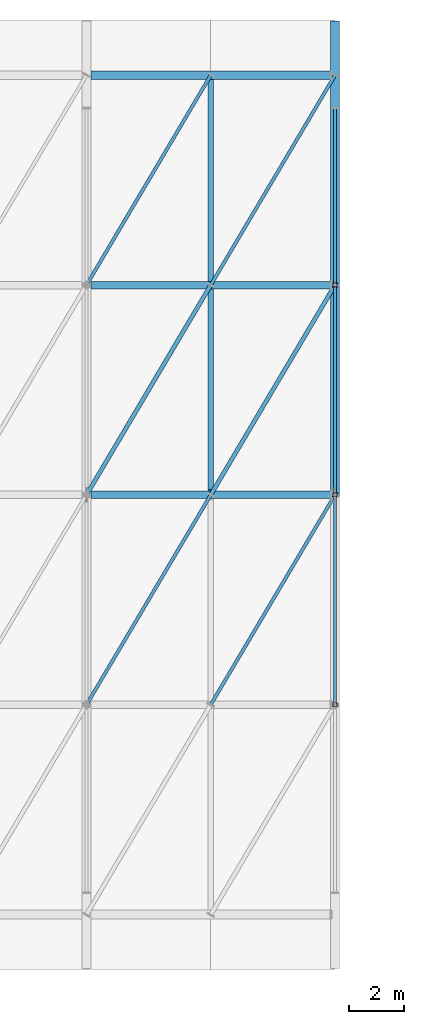
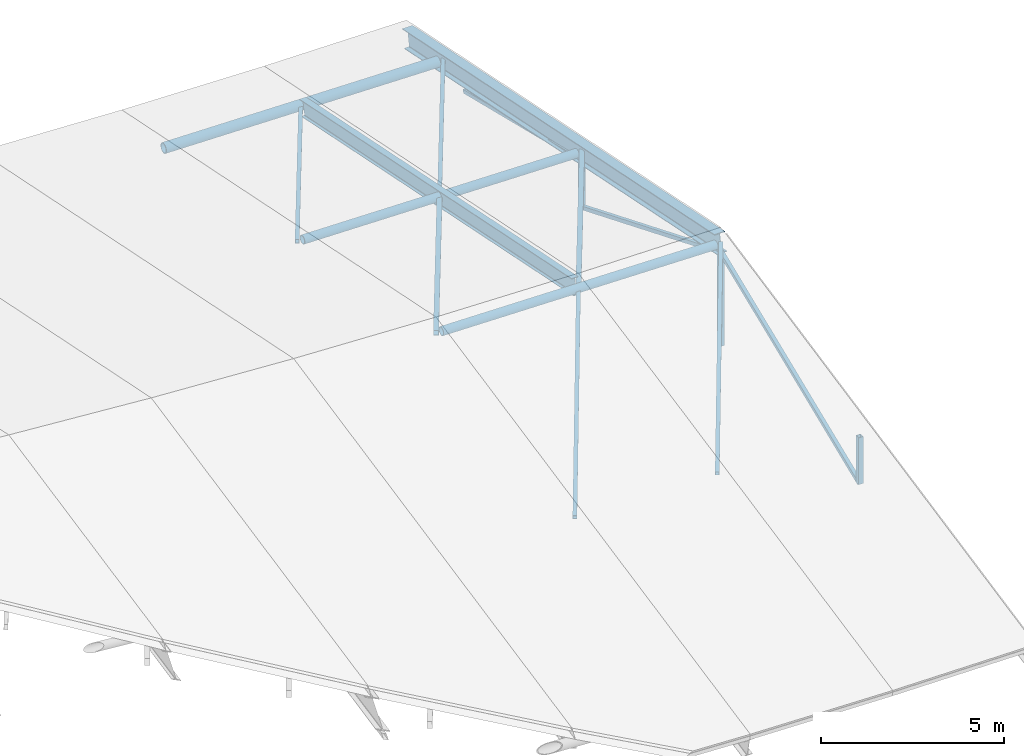
# One storey, part 13 of 21: 12 members, 5 beams.
"""IFC4 building model written with IfcOpenShell, lengths in metres."""

from ifc_helpers import new_model, si_unit, direction, frame, origin, origin_2d, place, context, subcontext, project, spatial, hollow_rectangle, hollow_circle, i_section, extrude, material, material_profile, profile_set, type_object, element, save


model = new_model("IFC4")

# Units and contexts
model_context = context("Model", 3, precision=1e-05, world=origin(), true_north=direction((0.0, 1.0)))
body_context = subcontext(model_context, "Body", "Model", "MODEL_VIEW")
ifc_project = project(units=[si_unit("LENGTHUNIT", "METRE"), si_unit("AREAUNIT", "SQUARE_METRE"), si_unit("VOLUMEUNIT", "CUBIC_METRE"), si_unit("PLANEANGLEUNIT", "RADIAN"), si_unit("MASSUNIT", "GRAM", prefix="KILO")], contexts=[model_context])

# Site, building, storey
site_placement = place(None, origin())
site = spatial("IfcSite", under=ifc_project, at=site_placement, CompositionType="ELEMENT")
building_placement = place(site_placement, origin())
building = spatial("IfcBuilding", under=site, at=building_placement, Name="Caisbarro Railhouse Central Library", CompositionType="ELEMENT")
storey_placement = place(building_placement, frame((0.0, 0.0, 26.639892578125)))
storey = spatial("IfcBuildingStorey", under=building, at=storey_placement, Name="RF", CompositionType="ELEMENT", Elevation=26.639892578125)

# Beams
ifc_material = material(Name="Steel ASTM A572 Grade 50", Category="steel")
ifc_material_profile_1 = material_profile(ifc_material, i_section(OverallWidth=0.324951171875, OverallDepth=0.615966796875, WebThickness=0.013916015625, FlangeThickness=0.021484375, FilletRadius=0.02197265625, at=origin_2d()), Name="W610X174.0")
ifc_profile_set_1 = profile_set([ifc_material_profile_1], Name="Steel ASTM A572 Grade 50")
beam_type_1 = type_object("IfcBeamType", Name="BM-G02", PredefinedType="BEAM", material=ifc_profile_set_1)
beam_1_placement = place(storey_placement, frame((72.0, 45.60009765625, -7.2099609375), z_axis=(0.0, 0.979828942298, -0.199838044013), x_axis=(-1.0, 0.0, 0.0)))
element("IfcBeam", 1, at=beam_1_placement, inside=storey, type_object=beam_type_1, Name="V1 Gridshell North Rafter X=72", PredefinedType="BEAM", context=body_context, shape_type="SweptSolid", body=[
    extrude(i_section(OverallWidth=0.324951171875, OverallDepth=0.615966796875, WebThickness=0.013916015625, FlangeThickness=0.021484375, FilletRadius=0.02197265625, at=origin_2d()), origin(), (0.0, 0.0, 1.0), 17.451904296875),
])
ifc_material_profile_2 = material_profile(ifc_material, i_section(OverallWidth=0.208984375, OverallDepth=0.532958984375, WebThickness=0.01025390625, FlangeThickness=0.015625, FilletRadius=0.02001953125, at=origin_2d()), Name="W530X92.0")
ifc_profile_set_2 = profile_set([ifc_material_profile_2], Name="Steel ASTM A572 Grade 50")
beam_type_2 = type_object("IfcBeamType", Name="BM-G06", PredefinedType="BEAM", material=ifc_profile_set_2)
beam_2_placement = place(storey_placement, frame((67.5, 45.739990234375, -7.16357421875), z_axis=(0.0, 0.979832431979, -0.19982093294), x_axis=(-1.0, 0.0, 0.0)))
element("IfcBeam", 2, at=beam_2_placement, inside=storey, type_object=beam_type_2, Name="V1 Gridshell Secondary Rafter North 8", PredefinedType="BEAM", context=body_context, shape_type="SweptSolid", body=[
    extrude(i_section(OverallWidth=0.208984375, OverallDepth=0.532958984375, WebThickness=0.01025390625, FlangeThickness=0.015625, FilletRadius=0.02001953125, at=origin_2d()), origin(), (0.0, 0.0, 1.0), 15.20166015625),
])
ifc_material_profile_3 = material_profile(ifc_material, hollow_circle(Radius=0.161865234375, WallThickness=0.01611328125, at=origin_2d()), Name="CHS323.9X16.0")
ifc_profile_set_3 = profile_set([ifc_material_profile_3], Name="Steel ASTM A572 Grade 50")
beam_type_3 = type_object("IfcBeamType", Name="BM-RB01", PredefinedType="BEAM", material=ifc_profile_set_3)
beam_3_placement = place(storey_placement, frame((63.1650390625, 60.800048828125, -10.16259765625), z_axis=(0.999861077482, 0.0, -0.016668105369), x_axis=(0.0, 1.0, 0.0)))
element("IfcBeam", 3, at=beam_3_placement, inside=storey, type_object=beam_type_3, Name="V1 Gridshell Longitudinal Chord N08", PredefinedType="BEAM", context=body_context, shape_type="SweptSolid", body=[
    extrude(hollow_circle(Radius=0.161865234375, WallThickness=0.01611328125, at=origin_2d()), origin(), (0.0, 0.0, 1.0), 8.671142578125),
])
ifc_material_profile_4 = material_profile(ifc_material, hollow_circle(Radius=0.136474609375, WallThickness=0.012451171875, at=origin_2d()), Name="CHS273.0X12.5")
ifc_profile_set_4 = profile_set([ifc_material_profile_4], Name="Steel ASTM A572 Grade 50")
beam_type_4 = type_object("IfcBeamType", Name="BM-RB02", PredefinedType="BEAM", material=ifc_profile_set_4)
for number, where, z_axis, x_axis, name in (
    (4, (63.1650390625, 53.199951171875, -8.612548828125), (0.999861077482, 0.0, -0.016668105369), (0.0, 1.0, 0.0), "V1 Gridshell Longitudinal Chord Q208"),
    (5, (63.1650390625, 45.60009765625, -7.062744140625), (0.999861077482, 0.0, -0.016668105369), (0.0, 1.0, 0.0), "V1 Gridshell Longitudinal Chord M08"),
):
    element("IfcBeam", number, at=place(storey_placement, frame(where, z_axis=z_axis, x_axis=x_axis)), inside=storey, type_object=beam_type_4, Name=name, PredefinedType="BEAM", context=body_context, shape_type="SweptSolid", body=[
        extrude(hollow_circle(Radius=0.136474609375, WallThickness=0.012451171875, at=origin_2d()), origin(), (0.0, 0.0, 1.0), 8.671142578125),
    ])

# Members
ifc_material_profile_5 = material_profile(ifc_material, hollow_rectangle(XDim=0.14990234375, YDim=0.14990234375, WallThickness=0.010009765625, at=origin_2d()), Name="HSS150X150X10")
ifc_profile_set_5 = profile_set([ifc_material_profile_5], Name="Steel ASTM A572 Grade 50")
member_type_1 = type_object("IfcMemberType", Name="MEM-GS01", PredefinedType="STRUT", material=ifc_profile_set_5)
member_1_placement = place(storey_placement, frame((72.0, 38.0, -10.60791015625), z_axis=(0.0, 0.0, 1.0), x_axis=(1.0, 0.0, 0.0)))
element("IfcMember", 6, at=member_1_placement, inside=storey, type_object=member_type_1, Name="V1 Gridshell QPS Strut 9", PredefinedType="STRUT", context=body_context, shape_type="SweptSolid", body=[
    extrude(hollow_rectangle(XDim=0.14990234375, YDim=0.14990234375, WallThickness=0.010009765625, at=origin_2d()), origin(), (0.0, 0.0, 1.0), 1.56494140625),
])
member_2_placement = place(storey_placement, frame((72.0, 45.60009765625, -10.60791015625), z_axis=(0.0, 0.0, 1.0), x_axis=(1.0, 0.0, 0.0)))
element("IfcMember", 7, at=member_2_placement, inside=storey, type_object=member_type_1, Name="V1 Gridshell KP Strut 9", PredefinedType="STRUT", context=body_context, shape_type="SweptSolid", body=[
    extrude(hollow_rectangle(XDim=0.14990234375, YDim=0.14990234375, WallThickness=0.010009765625, at=origin_2d()), origin(), (0.0, 0.0, 1.0), 3.114990234375),
])
member_3_placement = place(storey_placement, frame((72.0, 53.199951171875, -10.60791015625), z_axis=(0.0, 0.0, 1.0), x_axis=(1.0, 0.0, 0.0)))
element("IfcMember", 8, at=member_3_placement, inside=storey, type_object=member_type_1, Name="V1 Gridshell QPN Strut 9", PredefinedType="STRUT", context=body_context, shape_type="SweptSolid", body=[
    extrude(hollow_rectangle(XDim=0.14990234375, YDim=0.14990234375, WallThickness=0.010009765625, at=origin_2d()), origin(), (0.0, 0.0, 1.0), 1.56494140625),
])
member_4_placement = place(storey_placement, frame((63.0, 45.60009765625, -7.059814453125), z_axis=(0.500705179077, 0.845619114555, -0.184993612712), x_axis=(-0.860471083771, 0.509499277717, 0.0)))
element("IfcMember", 9, at=member_4_placement, inside=storey, type_object=member_type_1, Name="V1 Gridshell Diagonal Strut 59", PredefinedType="STRUT", context=body_context, shape_type="SweptSolid", body=[
    extrude(hollow_rectangle(XDim=0.14990234375, YDim=0.14990234375, WallThickness=0.010009765625, at=origin_2d()), origin(), (0.0, 0.0, 1.0), 8.9873046875),
])
member_5_placement = place(storey_placement, frame((67.5, 45.60009765625, -7.17236328125), z_axis=(0.501461958611, 0.846897206467, -0.17692095903), x_axis=(-0.860471083771, 0.509499277717, 0.0)))
element("IfcMember", 10, at=member_5_placement, inside=storey, type_object=member_type_1, Name="V1 Gridshell Diagonal Strut 63", PredefinedType="STRUT", context=body_context, shape_type="SweptSolid", body=[
    extrude(hollow_rectangle(XDim=0.14990234375, YDim=0.14990234375, WallThickness=0.010009765625, at=origin_2d()), origin(), (0.0, 0.0, 1.0), 8.973876953125),
])
ifc_material_profile_6 = material_profile(ifc_material, hollow_rectangle(XDim=0.1201171875, YDim=0.1201171875, WallThickness=0.008056640625, at=origin_2d()), Name="HSS120X120X8")
ifc_profile_set_6 = profile_set([ifc_material_profile_6], Name="Steel ASTM A572 Grade 50")
member_type_2 = type_object("IfcMemberType", Name="MEM-GS02", PredefinedType="STRUT", material=ifc_profile_set_6)
member_6_placement = place(storey_placement, frame((72.0, 38.0, -10.60791015625), z_axis=(0.0, 0.925296760282, 0.379243860085), x_axis=(-1.0, 0.0, 0.0)))
element("IfcMember", 11, at=member_6_placement, inside=storey, type_object=member_type_2, Name="V1 Gridshell Truss Web DS2 9", PredefinedType="STRUT", context=body_context, shape_type="SweptSolid", body=[
    extrude(hollow_rectangle(XDim=0.1201171875, YDim=0.1201171875, WallThickness=0.008056640625, at=origin_2d()), origin(), (0.0, 0.0, 1.0), 8.213623046875),
])
member_7_placement = place(storey_placement, frame((72.0, 59.60009765625, -10.60791015625), z_axis=(0.0, -0.971382859831, 0.237519135286), x_axis=(1.0, 0.0, 0.0)))
element("IfcMember", 12, at=member_7_placement, inside=storey, type_object=member_type_2, Name="V1 Gridshell Truss Web DN1 9", PredefinedType="STRUT", context=body_context, shape_type="SweptSolid", body=[
    extrude(hollow_rectangle(XDim=0.1201171875, YDim=0.1201171875, WallThickness=0.008056640625, at=origin_2d()), origin(), (0.0, 0.0, 1.0), 6.588623046875),
])
member_8_placement = place(storey_placement, frame((72.0, 53.199951171875, -10.60791015625), z_axis=(0.0, -0.925292485077, 0.379254290761), x_axis=(1.0, 0.0, 0.0)))
element("IfcMember", 13, at=member_8_placement, inside=storey, type_object=member_type_2, Name="V1 Gridshell Truss Web DN2 9", PredefinedType="STRUT", context=body_context, shape_type="SweptSolid", body=[
    extrude(hollow_rectangle(XDim=0.1201171875, YDim=0.1201171875, WallThickness=0.008056640625, at=origin_2d()), origin(), (0.0, 0.0, 1.0), 8.21337890625),
])
member_9_placement = place(storey_placement, frame((63.0, 38.0, -8.60986328125), z_axis=(0.502870548833, 0.849303395463, 0.160639203099), x_axis=(-0.860478259115, 0.509487159397, 0.0)))
element("IfcMember", 14, at=member_9_placement, inside=storey, type_object=member_type_2, Name="V1 Gridshell Diagonal Strut 58", PredefinedType="STRUT", context=body_context, shape_type="SweptSolid", body=[
    extrude(hollow_rectangle(XDim=0.1201171875, YDim=0.1201171875, WallThickness=0.008056640625, at=origin_2d()), origin(), (0.0, 0.0, 1.0), 8.94873046875),
])
member_10_placement = place(storey_placement, frame((63.0, 53.199951171875, -8.60986328125), z_axis=(0.50069367747, 0.845626854365, -0.184989363258), x_axis=(-0.860478259115, 0.509487159397, 0.0)))
element("IfcMember", 15, at=member_10_placement, inside=storey, type_object=member_type_2, Name="V1 Gridshell Diagonal Strut 60", PredefinedType="STRUT", context=body_context, shape_type="SweptSolid", body=[
    extrude(hollow_rectangle(XDim=0.1201171875, YDim=0.1201171875, WallThickness=0.008056640625, at=origin_2d()), origin(), (0.0, 0.0, 1.0), 8.987548828125),
])
member_11_placement = place(storey_placement, frame((67.5, 38.0, -8.722412109375), z_axis=(0.502177747639, 0.848133316189, 0.168782071757), x_axis=(-0.860478259115, 0.509487159397, 0.0)))
element("IfcMember", 16, at=member_11_placement, inside=storey, type_object=member_type_2, Name="V1 Gridshell Diagonal Strut 62", PredefinedType="STRUT", context=body_context, shape_type="SweptSolid", body=[
    extrude(hollow_rectangle(XDim=0.1201171875, YDim=0.1201171875, WallThickness=0.008056640625, at=origin_2d()), origin(), (0.0, 0.0, 1.0), 8.9609375),
])
member_12_placement = place(storey_placement, frame((67.5, 53.199951171875, -8.722412109375), z_axis=(0.501452818138, 0.846908975077, -0.17689052862), x_axis=(-0.860478259115, 0.509487159397, 0.0)))
element("IfcMember", 17, at=member_12_placement, inside=storey, type_object=member_type_2, Name="V1 Gridshell Diagonal Strut 64", PredefinedType="STRUT", context=body_context, shape_type="SweptSolid", body=[
    extrude(hollow_rectangle(XDim=0.1201171875, YDim=0.1201171875, WallThickness=0.008056640625, at=origin_2d()), origin(), (0.0, 0.0, 1.0), 8.973876953125),
])

save(model, "model.ifc")
